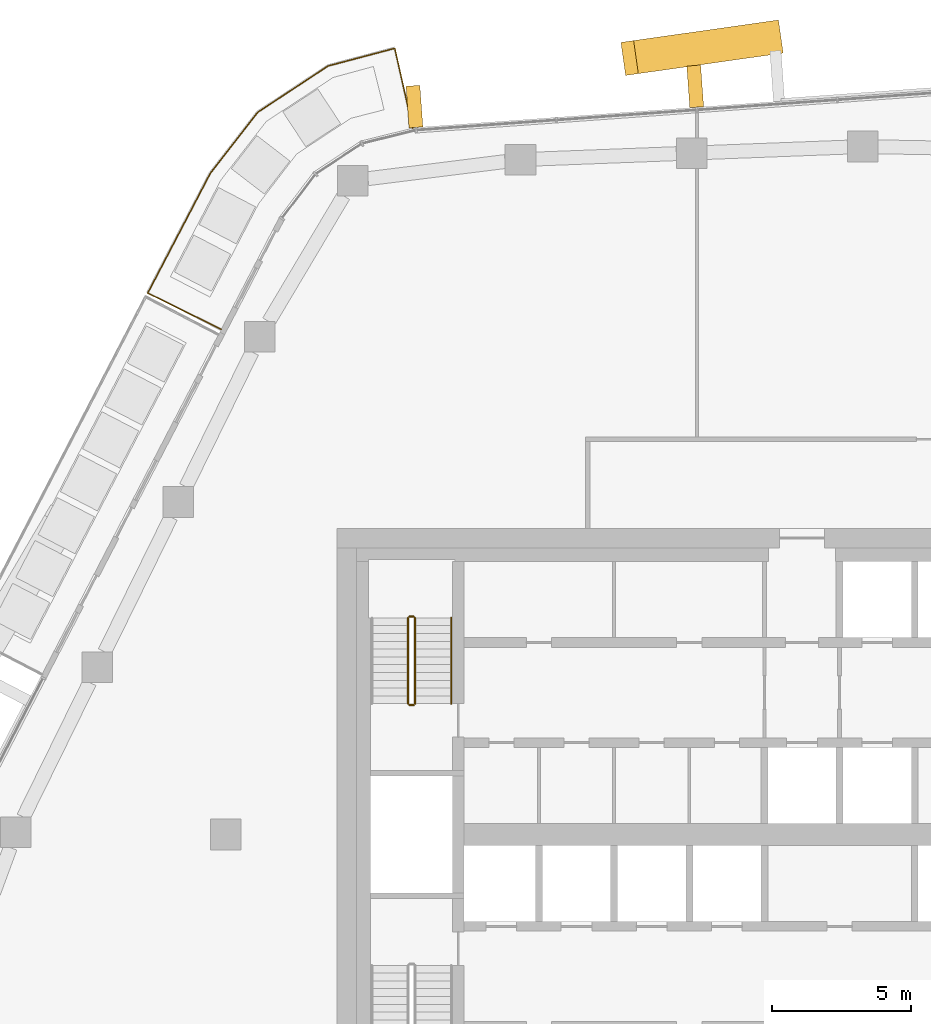
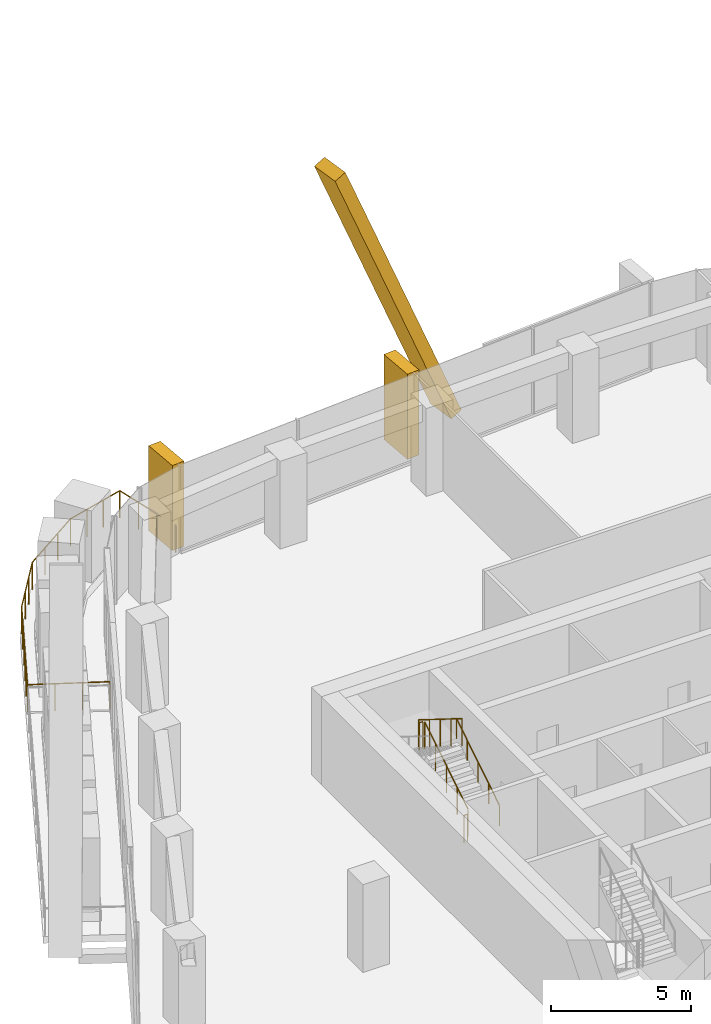
# One storey, part 18 of 20: 6 railings, 3 coverings, 1 element without a shape of its own.
"""IFC4 building model written with IfcOpenShell, lengths in metres."""

from ifc_helpers import new_model, si_unit, direction, frame, origin, origin_2d, place, context, subcontext, project, spatial, rectangle, circle, extrude, material, layer, layer_set, material_profile, profile_set, type_object, element, aggregate, save


model = new_model("IFC4")

# Units and contexts
model_context = context("Model", 3, precision=1e-05, world=origin(), true_north=direction((0.0, 1.0)))
body_context = subcontext(model_context, "Body", "Model", "MODEL_VIEW")
ifc_project = project(units=[si_unit("LENGTHUNIT", "METRE"), si_unit("AREAUNIT", "SQUARE_METRE"), si_unit("VOLUMEUNIT", "CUBIC_METRE"), si_unit("PLANEANGLEUNIT", "RADIAN"), si_unit("MASSUNIT", "GRAM", prefix="KILO")], contexts=[model_context])

# Site, building, storey
site_placement = place(None, origin())
site = spatial("IfcSite", under=ifc_project, at=site_placement, CompositionType="ELEMENT")
building_placement = place(site_placement, origin())
building = spatial("IfcBuilding", under=site, at=building_placement, Name="Dongbaek Canopy Tower", CompositionType="ELEMENT")
storey_placement = place(building_placement, frame((0.0, 0.0, 266.39990234375)))
storey = spatial("IfcBuildingStorey", under=building, at=storey_placement, Name="L56", CompositionType="ELEMENT", Elevation=266.39990234375)

# Railing
ifc_material_1 = material(Name="Stainless steel", Category="steel")
railing_type_1 = type_object("IfcRailingType", Name="Balcony balustrade 1200", PredefinedType="BALUSTRADE", material=ifc_material_1)
railing_1_placement = place(storey_placement, frame((-11.2841796875, 25.37255859375, 0.0)))
element("IfcRailing", 1, at=railing_1_placement, inside=storey, type_object=railing_type_1, Name="Balcony guard L56 5", PredefinedType="BALUSTRADE", context=body_context, shape_type="SweptSolid", body=[
    extrude(circle(Radius=0.02392578125, at=origin_2d()), frame((0.0, 0.0, 1.17578125), z_axis=(-0.219610978917, 0.975587524489, 0.0), x_axis=(-0.975587524489, -0.219610978917, 0.0)), (0.0, 0.0, 1.0), 2.9404296875),
    extrude(circle(Radius=0.02392578125, at=origin_2d()), frame((-0.645751953125, 2.86865234375, 1.17578125), z_axis=(-0.966688022334, -0.255957550145, 0.0), x_axis=(0.255957550145, -0.966688022334, 0.0)), (0.0, 0.0, 1.0), 2.47802734375),
    extrude(circle(Radius=0.02392578125, at=origin_2d()), frame((-3.041259765625, 2.234375, 1.17578125), z_axis=(-0.83547363868, -0.54953052606, 0.0), x_axis=(0.54953052606, -0.83547363868, 0.0)), (0.0, 0.0, 1.0), 3.025146484375),
    extrude(circle(Radius=0.02392578125, at=origin_2d()), frame((-5.568603515625, 0.572021484375, 1.17578125), z_axis=(-0.613417092057, -0.789759122247, 0.0), x_axis=(0.789759122247, -0.613417092057, 0.0)), (0.0, 0.0, 1.0), 2.77734375),
    extrude(circle(Radius=0.02392578125, at=origin_2d()), frame((-7.272216796875, -1.621337890625, 1.17578125), z_axis=(-0.462822183526, -0.886451141596, 0.0), x_axis=(0.886451141596, -0.462822183526, 0.0)), (0.0, 0.0, 1.0), 4.8525390625),
    extrude(circle(Radius=0.02392578125, at=origin_2d()), frame((-9.51806640625, -5.9228515625, 1.17578125), z_axis=(0.89667407753, -0.442691313091, 0.0), x_axis=(0.442691313091, 0.89667407753, 0.0)), (0.0, 0.0, 1.0), 2.940673828125),
    extrude(circle(Radius=0.02099609375, at=origin_2d()), origin(), (0.0, 0.0, 1.0), 1.15185546875),
    extrude(circle(Radius=0.02099609375, at=origin_2d()), frame((-0.21533203125, 0.956298828125, 0.0)), (0.0, 0.0, 1.0), 1.15185546875),
    extrude(circle(Radius=0.02099609375, at=origin_2d()), frame((-0.430419921875, 1.912353515625, 0.0)), (0.0, 0.0, 1.0), 1.15185546875),
    extrude(circle(Radius=0.02099609375, at=origin_2d()), frame((-0.645751953125, 2.86865234375, 0.0)), (0.0, 0.0, 1.0), 1.15185546875),
    extrude(circle(Radius=0.02099609375, at=origin_2d()), frame((-1.4443359375, 2.6572265625, 0.0)), (0.0, 0.0, 1.0), 1.15185546875),
    extrude(circle(Radius=0.02099609375, at=origin_2d()), frame((-2.24267578125, 2.44580078125, 0.0)), (0.0, 0.0, 1.0), 1.15185546875),
    extrude(circle(Radius=0.02099609375, at=origin_2d()), frame((-3.041259765625, 2.234375, 0.0)), (0.0, 0.0, 1.0), 1.15185546875),
    extrude(circle(Radius=0.02099609375, at=origin_2d()), frame((-3.8837890625, 1.68017578125, 0.0)), (0.0, 0.0, 1.0), 1.15185546875),
    extrude(circle(Radius=0.02099609375, at=origin_2d()), frame((-4.72607421875, 1.126220703125, 0.0)), (0.0, 0.0, 1.0), 1.15185546875),
    extrude(circle(Radius=0.02099609375, at=origin_2d()), frame((-5.568603515625, 0.572021484375, 0.0)), (0.0, 0.0, 1.0), 1.15185546875),
    extrude(circle(Radius=0.02099609375, at=origin_2d()), frame((-6.136474609375, -0.1591796875, 0.0)), (0.0, 0.0, 1.0), 1.15185546875),
    extrude(circle(Radius=0.02099609375, at=origin_2d()), frame((-6.704345703125, -0.89013671875, 0.0)), (0.0, 0.0, 1.0), 1.15185546875),
    extrude(circle(Radius=0.02099609375, at=origin_2d()), frame((-7.272216796875, -1.621337890625, 0.0)), (0.0, 0.0, 1.0), 1.15185546875),
    extrude(circle(Radius=0.02099609375, at=origin_2d()), frame((-7.721435546875, -2.481689453125, 0.0)), (0.0, 0.0, 1.0), 1.15185546875),
    extrude(circle(Radius=0.02099609375, at=origin_2d()), frame((-8.170654296875, -3.342041015625, 0.0)), (0.0, 0.0, 1.0), 1.15185546875),
    extrude(circle(Radius=0.02099609375, at=origin_2d()), frame((-8.61962890625, -4.2021484375, 0.0)), (0.0, 0.0, 1.0), 1.15185546875),
    extrude(circle(Radius=0.02099609375, at=origin_2d()), frame((-9.06884765625, -5.0625, 0.0)), (0.0, 0.0, 1.0), 1.15185546875),
    extrude(circle(Radius=0.02099609375, at=origin_2d()), frame((-9.51806640625, -5.9228515625, 0.0)), (0.0, 0.0, 1.0), 1.15185546875),
    extrude(circle(Radius=0.02099609375, at=origin_2d()), frame((-8.63916015625, -6.356689453125, 0.0)), (0.0, 0.0, 1.0), 1.15185546875),
    extrude(circle(Radius=0.02099609375, at=origin_2d()), frame((-7.76025390625, -6.790771484375, 0.0)), (0.0, 0.0, 1.0), 1.15185546875),
    extrude(circle(Radius=0.02099609375, at=origin_2d()), frame((-6.88134765625, -7.224609375, 0.0)), (0.0, 0.0, 1.0), 1.15185546875),
])

# Curtain wall, coverings
ifc_material_2 = material(Name="Aluminium 6063-T6 pale anodised", Category="aluminium")
ifc_layer = layer(ifc_material_2, 0.199951171875)
ifc_layer_set = layer_set([ifc_layer], Name="CW-1 unitised tower curtain wall")
curtain_wall_type = type_object("IfcCurtainWallType", Name="CW-1 unitised tower curtain wall", PredefinedType="NOTDEFINED", material=ifc_layer_set)
curtain_wall_placement = place(storey_placement, origin())
curtain_wall = element("IfcCurtainWall", 2, at=curtain_wall_placement, inside=storey, type_object=curtain_wall_type, Name="CW-1 curtain wall F1.1", PredefinedType="NOTDEFINED")
ifc_material_3 = material(Name="Aluminium 6063-T6 pale metal fin", Category="aluminium")
ifc_material_profile_1 = material_profile(ifc_material_3, rectangle(XDim=1.199951171875, YDim=0.5, at=origin_2d()), Name="Crease fin CF1 500 x 1200 pale metal")
ifc_profile_set_1 = profile_set([ifc_material_profile_1], Name="Aluminium 6063-T6 pale metal fin")
covering_type_1 = type_object("IfcCoveringType", Name="Crease fin CF1 500 x 1200 pale metal", PredefinedType="CLADDING", material=ifc_profile_set_1)
covering_1_placement = place(storey_placement, frame((1.710205078125, 28.6328125, -0.18994140625), z_axis=(-0.381120640139, -0.054167343233, 0.922937135772), x_axis=(0.140712415566, -0.990050511896, 0.0)))
covering_1 = element("IfcCovering", 3, at=covering_1_placement, type_object=covering_type_1, Name="Crease fin L56 L59 F1", PredefinedType="CLADDING", context=body_context, shape_type="SweptSolid", body=[
    extrude(rectangle(XDim=1.199951171875, YDim=0.5, at=origin_2d()), origin(), (0.0, 0.0, 1.0), 13.652099609375),
])
ifc_material_4 = material(Name="Aluminium 6063-T6 pale metal fin", Category="aluminium")
ifc_material_profile_2 = material_profile(ifc_material_4, rectangle(XDim=1.5, YDim=0.5, at=origin_2d()), Name="Fin FN1 500 x 1500 pale metal")
ifc_profile_set_2 = profile_set([ifc_material_profile_2], Name="Aluminium 6063-T6 pale metal fin")
covering_type_2 = type_object("IfcCoveringType", Name="Fin FN1 500 x 1500 pale metal", PredefinedType="CLADDING", material=ifc_profile_set_2)
covering_2_placement = place(storey_placement, frame((-1.13671875, 26.873046875, 0.1201171875), z_axis=(0.0, 0.0, 1.0), x_axis=(-0.07174408026, 0.997423073198, 0.0)))
covering_2 = element("IfcCovering", 4, at=covering_2_placement, type_object=covering_type_2, Name="Fin F1.1.3", PredefinedType="CLADDING", context=body_context, shape_type="SweptSolid", body=[
    extrude(rectangle(XDim=1.5, YDim=0.5, at=origin_2d()), origin(), (0.0, 0.0, 1.0), 3.699951171875),
])
covering_3_placement = place(storey_placement, frame((-11.222900390625, 26.1474609375, 0.1201171875), z_axis=(0.0, 0.0, 1.0), x_axis=(-0.07174408026, 0.997423073198, 0.0)))
covering_3 = element("IfcCovering", 5, at=covering_3_placement, type_object=covering_type_2, Name="Fin F1.1.5", PredefinedType="CLADDING", context=body_context, shape_type="SweptSolid", body=[
    extrude(rectangle(XDim=1.5, YDim=0.5, at=origin_2d()), origin(), (0.0, 0.0, 1.0), 3.699951171875),
])
aggregate(curtain_wall, [covering_2, covering_3, covering_1])

# Railings
ifc_material_5 = material(Name="Stainless steel tube and balusters", Category="steel")
railing_type_2 = type_object("IfcRailingType", Name="Stair guard 1200", PredefinedType="GUARDRAIL", material=ifc_material_5)
railing_2_placement = place(storey_placement, frame((-11.199951171875, 4.699951171875, 0.175048828125)))
element("IfcRailing", 6, at=railing_2_placement, inside=storey, type_object=railing_type_2, Name="L56 ST-C stair guard 1", PredefinedType="GUARDRAIL", context=body_context, shape_type="SweptSolid", body=[
    extrude(circle(Radius=0.02392578125, at=origin_2d()), frame((0.0, 0.0, 1.17578125), z_axis=(0.0, 0.847998304005, 0.529998940003), x_axis=(-1.0, 0.0, 0.0)), (0.0, 0.0, 1.0), 3.632080078125),
    extrude(circle(Radius=0.02099609375, at=origin_2d()), origin(), (0.0, 0.0, 1.0), 1.15185546875),
    extrude(circle(Radius=0.02099609375, at=origin_2d()), frame((0.0, 0.77001953125, 0.481201171875)), (0.0, 0.0, 1.0), 1.15185546875),
    extrude(circle(Radius=0.02099609375, at=origin_2d()), frame((0.0, 1.5400390625, 0.96240234375)), (0.0, 0.0, 1.0), 1.15185546875),
    extrude(circle(Radius=0.02099609375, at=origin_2d()), frame((0.0, 2.31005859375, 1.44384765625)), (0.0, 0.0, 1.0), 1.15185546875),
    extrude(circle(Radius=0.02099609375, at=origin_2d()), frame((0.0, 3.080078125, 1.925048828125)), (0.0, 0.0, 1.0), 1.15185546875),
])
railing_3_placement = place(storey_placement, frame((-11.25, 7.830078125, 2.10009765625)))
element("IfcRailing", 7, at=railing_3_placement, inside=storey, type_object=railing_type_2, Name="L56 ST-C stair guard 2", PredefinedType="GUARDRAIL", context=body_context, shape_type="SweptSolid", body=[
    extrude(circle(Radius=0.02392578125, at=origin_2d()), frame((0.0, 0.0, 1.17578125), z_axis=(-1.0, 0.0, 0.0), x_axis=(0.0, -1.0, 0.0)), (0.0, 0.0, 1.0), 0.14990234375),
    extrude(circle(Radius=0.02099609375, at=origin_2d()), origin(), (0.0, 0.0, 1.0), 1.15185546875),
    extrude(circle(Radius=0.02099609375, at=origin_2d()), frame((-0.14990234375, 0.0, 0.0)), (0.0, 0.0, 1.0), 1.15185546875),
])
railing_4_placement = place(storey_placement, frame((-11.449951171875, 7.780029296875, 2.275146484375)))
element("IfcRailing", 8, at=railing_4_placement, inside=storey, type_object=railing_type_2, Name="L56 ST-C stair guard 3", PredefinedType="GUARDRAIL", context=body_context, shape_type="SweptSolid", body=[
    extrude(circle(Radius=0.02392578125, at=origin_2d()), frame((0.0, 0.0, 1.17578125), z_axis=(0.0, -0.847998304005, 0.529998940003), x_axis=(1.0, 0.0, 0.0)), (0.0, 0.0, 1.0), 3.632080078125),
    extrude(circle(Radius=0.02099609375, at=origin_2d()), origin(), (0.0, 0.0, 1.0), 1.15185546875),
    extrude(circle(Radius=0.02099609375, at=origin_2d()), frame((0.0, -0.77001953125, 0.481201171875)), (0.0, 0.0, 1.0), 1.15185546875),
    extrude(circle(Radius=0.02099609375, at=origin_2d()), frame((0.0, -1.5400390625, 0.96240234375)), (0.0, 0.0, 1.0), 1.15185546875),
    extrude(circle(Radius=0.02099609375, at=origin_2d()), frame((0.0, -2.31005859375, 1.44384765625)), (0.0, 0.0, 1.0), 1.15185546875),
    extrude(circle(Radius=0.02099609375, at=origin_2d()), frame((0.0, -3.080078125, 1.925048828125)), (0.0, 0.0, 1.0), 1.15185546875),
])
railing_5_placement = place(storey_placement, frame((-11.25, 4.64990234375, 0.0)))
element("IfcRailing", 9, at=railing_5_placement, inside=storey, type_object=railing_type_2, Name="L56 ST-C stair guard 4", PredefinedType="GUARDRAIL", context=body_context, shape_type="SweptSolid", body=[
    extrude(circle(Radius=0.02392578125, at=origin_2d()), frame((0.0, 0.0, 1.17578125), z_axis=(-1.0, 0.0, 0.0), x_axis=(0.0, -1.0, 0.0)), (0.0, 0.0, 1.0), 0.14990234375),
    extrude(circle(Radius=0.02099609375, at=origin_2d()), origin(), (0.0, 0.0, 1.0), 1.15185546875),
    extrude(circle(Radius=0.02099609375, at=origin_2d()), frame((-0.14990234375, 0.0, 0.0)), (0.0, 0.0, 1.0), 1.15185546875),
])
ifc_material_6 = material(Name="Stainless steel tube", Category="steel")
railing_type_3 = type_object("IfcRailingType", Name="Stair handrail 900", PredefinedType="HANDRAIL", material=ifc_material_6)
railing_6_placement = place(storey_placement, frame((-9.89990234375, 4.699951171875, 0.175048828125)))
element("IfcRailing", 10, at=railing_6_placement, inside=storey, type_object=railing_type_3, Name="L56 ST-C stair handrail 1", PredefinedType="HANDRAIL", context=body_context, shape_type="SweptSolid", body=[
    extrude(circle(Radius=0.02392578125, at=origin_2d()), frame((0.0, 0.0, 0.8759765625), z_axis=(0.0, 0.847998304005, 0.529998940003), x_axis=(-1.0, 0.0, 0.0)), (0.0, 0.0, 1.0), 3.632080078125),
    extrude(circle(Radius=0.02099609375, at=origin_2d()), origin(), (0.0, 0.0, 1.0), 0.851806640625),
    extrude(circle(Radius=0.02099609375, at=origin_2d()), frame((0.0, 0.77001953125, 0.481201171875)), (0.0, 0.0, 1.0), 0.851806640625),
    extrude(circle(Radius=0.02099609375, at=origin_2d()), frame((0.0, 1.5400390625, 0.96240234375)), (0.0, 0.0, 1.0), 0.851806640625),
    extrude(circle(Radius=0.02099609375, at=origin_2d()), frame((0.0, 2.31005859375, 1.44384765625)), (0.0, 0.0, 1.0), 0.851806640625),
    extrude(circle(Radius=0.02099609375, at=origin_2d()), frame((0.0, 3.080078125, 1.925048828125)), (0.0, 0.0, 1.0), 0.851806640625),
])

save(model, "model.ifc")
